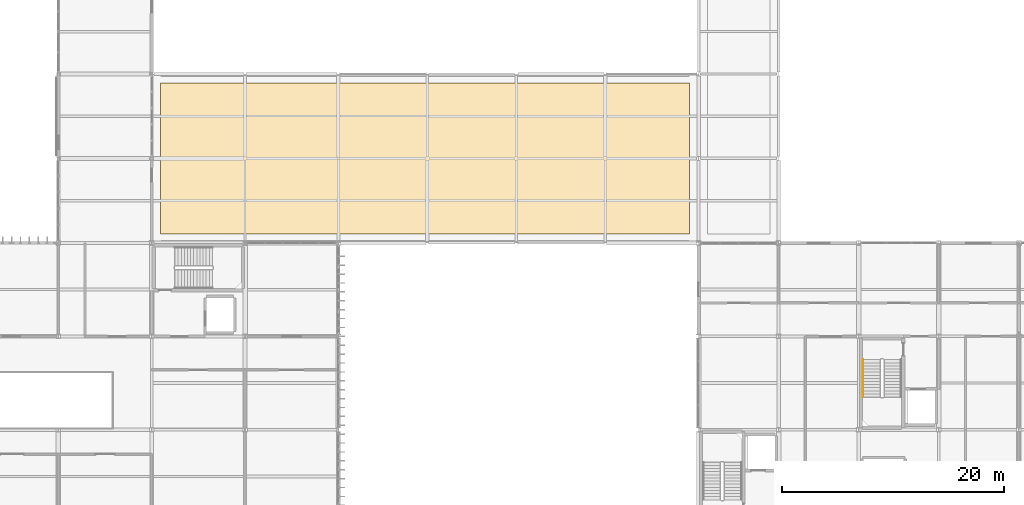
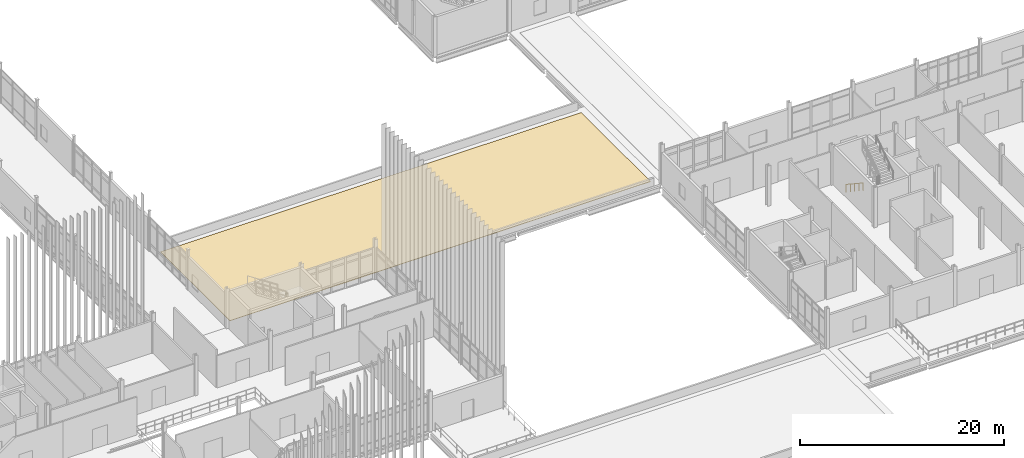
# One storey, part 145 of 153: 1 covering, 1 railing.
"""IFC4 building model written with IfcOpenShell, lengths in metres."""

from ifc_helpers import new_model, si_unit, direction, frame, origin, origin_2d, place, context, subcontext, project, spatial, polyline, circle, outline, extrude, material, layer, layer_set, type_object, element, save


model = new_model("IFC4")

# Units and contexts
model_context = context("Model", 3, precision=1e-05, world=origin(), true_north=direction((0.0, 1.0)))
body_context = subcontext(model_context, "Body", "Model", "MODEL_VIEW")
ifc_project = project(units=[si_unit("LENGTHUNIT", "METRE"), si_unit("AREAUNIT", "SQUARE_METRE"), si_unit("VOLUMEUNIT", "CUBIC_METRE"), si_unit("PLANEANGLEUNIT", "RADIAN"), si_unit("MASSUNIT", "GRAM", prefix="KILO")], contexts=[model_context])

# Site, building, storey
site_placement = place(None, origin())
site = spatial("IfcSite", under=ifc_project, at=site_placement, CompositionType="ELEMENT")
building_placement = place(site_placement, origin())
building = spatial("IfcBuilding", under=site, at=building_placement, Name="Calvrana Isthmian Art Gallery", CompositionType="ELEMENT")
storey_placement = place(building_placement, frame((0.0, 0.0, 10.199951171875)))
storey = spatial("IfcBuildingStorey", under=building, at=storey_placement, Name="L02", CompositionType="ELEMENT", Elevation=10.199951171875)

# Covering
ifc_material_1 = material(Name="Standing-seam zinc-aluminium roofing", Category="aluminium")
ifc_layer = layer(ifc_material_1, 0.050048828125, Name="Standing-seam zinc-aluminium roofing")
ifc_layer_set = layer_set([ifc_layer], Name="Standing-seam zinc-aluminium roofing")
covering_type = type_object("IfcCoveringType", Name="COV-ROOF-ZINC", PredefinedType="ROOFING", material=ifc_layer_set)
covering_placement = place(storey_placement, origin())
element("IfcCovering", 1, at=covering_placement, inside=storey, type_object=covering_type, Name="Insulated roof membrane ROOF_V2N_L02", PredefinedType="ROOFING", context=body_context, shape_type="SweptSolid", body=[
    extrude(outline(polyline([(64.39990234375, 47.60009765625), (112.0, 47.60009765625), (112.0, 61.199951171875), (64.39990234375, 61.199951171875), (64.39990234375, 47.60009765625)])), origin(), (0.0, 0.0, 1.0), 0.050048828125),
])

# Railing
ifc_material_2 = material(Name="Stainless steel 316", Category="steel")
railing_type = type_object("IfcRailingType", Name="RL-HAND-920", PredefinedType="HANDRAIL", material=ifc_material_2)
railing_placement = place(storey_placement, frame((127.60009765625, 36.300048828125, 0.1845703125)))
element("IfcRailing", 2, at=railing_placement, inside=storey, type_object=railing_type, Name="Stair ST-4 handrail L02-1", PredefinedType="HANDRAIL", context=body_context, shape_type="SweptSolid", body=[
    extrude(circle(Radius=0.02392578125, at=origin_2d()), frame((0.0, 0.0, 0.89599609375), z_axis=(0.0, -0.834848600103, 0.550479622607), x_axis=(1.0, 0.0, 0.0)), (0.0, 0.0, 1.0), 4.02490234375),
    extrude(circle(Radius=0.02099609375, at=origin_2d()), origin(), (0.0, 0.0, 1.0), 0.871826171875),
    extrude(circle(Radius=0.02099609375, at=origin_2d()), frame((0.0, -0.840087890625, 0.553955078125)), (0.0, 0.0, 1.0), 0.871826171875),
    extrude(circle(Radius=0.02099609375, at=origin_2d()), frame((0.0, -1.68017578125, 1.10791015625)), (0.0, 0.0, 1.0), 0.871826171875),
    extrude(circle(Radius=0.02099609375, at=origin_2d()), frame((0.0, -2.52001953125, 1.66162109375)), (0.0, 0.0, 1.0), 0.871826171875),
    extrude(circle(Radius=0.02099609375, at=origin_2d()), frame((0.0, -3.360107421875, 2.215576171875)), (0.0, 0.0, 1.0), 0.871826171875),
])

save(model, "model.ifc")
